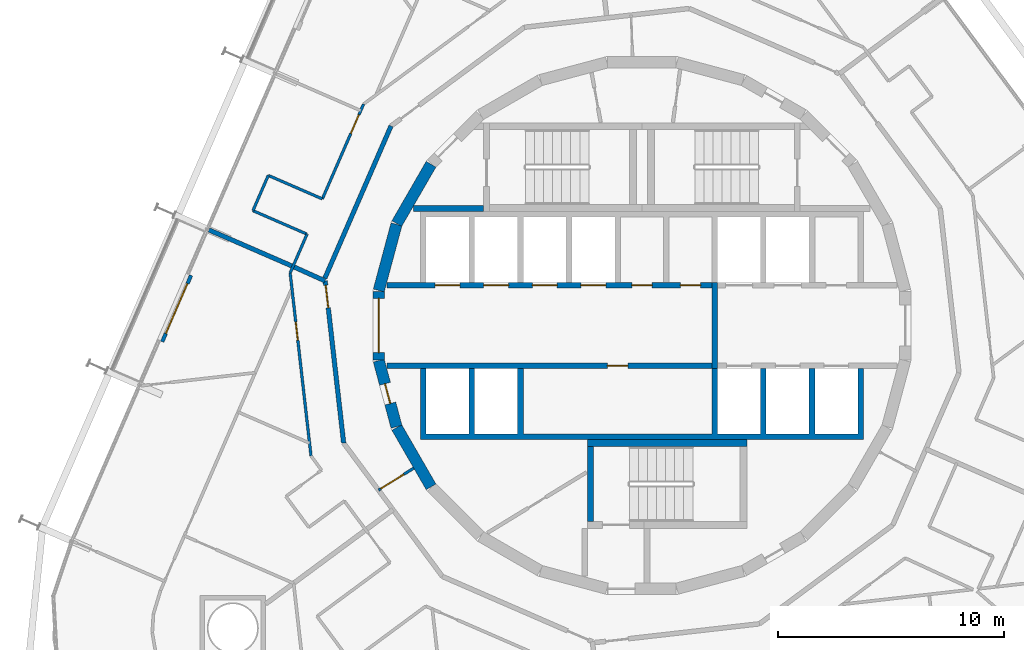
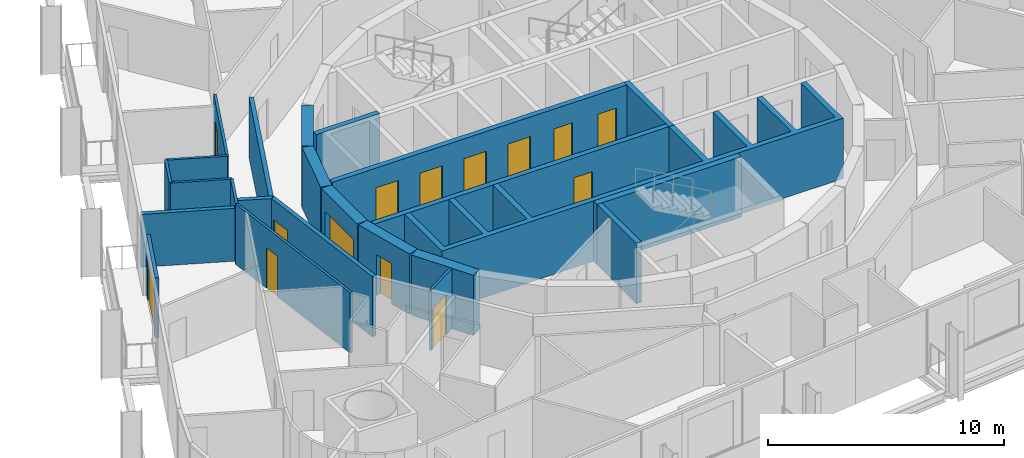
# One storey, part 15 of 21: 24 walls, 14 doors, 14 openings.
"""IFC4 building model written with IfcOpenShell, lengths in metres."""

from ifc_helpers import new_model, si_unit, direction, frame, frame_2d, origin, place, context, subcontext, project, spatial, polyline, rectangle, outline, extrude, material, layer, layer_set, type_object, element, fill, save


model = new_model("IFC4")

# Units and contexts
model_context = context("Model", 3, precision=1e-05, world=origin(), true_north=direction((0.0, 1.0)))
body_context = subcontext(model_context, "Body", "Model", "MODEL_VIEW")
ifc_project = project(units=[si_unit("LENGTHUNIT", "METRE"), si_unit("AREAUNIT", "SQUARE_METRE"), si_unit("VOLUMEUNIT", "CUBIC_METRE"), si_unit("PLANEANGLEUNIT", "RADIAN"), si_unit("MASSUNIT", "GRAM", prefix="KILO")], contexts=[model_context])

# Site, building, storey
site_placement = place(None, origin())
site = spatial("IfcSite", under=ifc_project, at=site_placement, CompositionType="ELEMENT")
building_placement = place(site_placement, origin())
building = spatial("IfcBuilding", under=site, at=building_placement, Name="Spindle Arch Residences", CompositionType="ELEMENT")
storey_placement = place(building_placement, frame((0.0, 0.0, 97.699951171875)))
storey = spatial("IfcBuildingStorey", under=building, at=storey_placement, Name="L23", CompositionType="ELEMENT", Elevation=97.699951171875)

# Walls
ifc_material_1 = material(Name="Concrete C50/60", Category="concrete")
ifc_layer_1 = layer(ifc_material_1, 0.5)
ifc_layer_set_1 = layer_set([ifc_layer_1], Name="Core outline wall 500")
wall_type_1 = type_object("IfcWallType", Name="Core outline wall 500", PredefinedType="SHEAR", material=ifc_layer_set_1)
for number, where, z_axis, x_axis, name in (
    (1, (-9.32861328125, 7.13671875, 0.0), (0.0, 0.0, 1.0), (-0.500087131594, -0.865975092491, 0.0), "Core outline wall 16"),
    (2, (-10.858154296875, 4.479248046875, 0.0), (0.0, 0.0, 1.0), (-0.258734743916, -0.965948410781, 0.0), "Core outline wall 17"),
):
    element("IfcWall", number, at=place(storey_placement, frame(where, z_axis=z_axis, x_axis=x_axis)), inside=storey, type_object=wall_type_1, Name=name, PredefinedType="SHEAR", context=body_context, shape_type="SweptSolid", body=[
        extrude(rectangle(XDim=3.03271484375, YDim=0.5, at=frame_2d((1.516357421875, 0.0))), origin(), (0.0, 0.0, 1.0), 3.1201171875),
    ])

# Wall, opening, door
wall_1_placement = place(storey_placement, frame((-11.647216796875, 1.516357421875, 0.0), z_axis=(0.0, 0.0, 1.0), x_axis=(0.0, -1.0, 0.0)))
wall_1 = element("IfcWall", 3, at=wall_1_placement, inside=storey, type_object=wall_type_1, Name="Core outline wall 18", PredefinedType="SHEAR", context=body_context, shape_type="SweptSolid", body=[
    extrude(rectangle(XDim=3.03271484375, YDim=0.5, at=frame_2d((1.516357421875, 0.0))), origin(), (0.0, 0.0, 1.0), 3.1201171875),
])
opening_1_placement = place(wall_1_placement, frame((0.31640625, 0.0, 0.0)))
opening_1 = element("IfcOpeningElement", 4, at=opening_1_placement, cuts=wall_1, Name="Opening R2C0-LE01", PredefinedType="OPENING", context=body_context, shape_type="SweptSolid", body=[
    extrude(rectangle(XDim=2.39990234375, YDim=2.10009765625, at=frame_2d((1.199951171875, 1.050048828125))), frame((0.0, 0.260009765625, 0.0), z_axis=(0.0, -1.0, 0.0), x_axis=(1.0, 0.0, 0.0)), (0.0, 0.0, 1.0), 0.52001953125),
])
ifc_material_2 = material(Name="Steel, fire-resisting door", Category="steel")
door_type_1 = type_object("IfcDoorType", Name="Lift lobby entrance door 2400x2100", OperationType="DOUBLE_DOOR_SINGLE_SWING", PredefinedType="DOOR", material=ifc_material_2)
door_1_placement = place(opening_1_placement, origin())
door_1 = element("IfcDoor", 5, at=door_1_placement, inside=storey, type_object=door_type_1, Name="Lift lobby entrance door R2C0-LE01", OperationType="DOUBLE_DOOR_SINGLE_SWING", OverallHeight=2.10009765625, OverallWidth=2.39990234375, PredefinedType="DOOR", context=body_context, shape_type="SweptSolid", body=[
    extrude(rectangle(XDim=2.39990234375, YDim=2.10009765625, at=frame_2d((1.199951171875, 1.050048828125))), frame((0.0, 0.02490234375, 0.0), z_axis=(0.0, -1.0, 0.0), x_axis=(1.0, 0.0, 0.0)), (0.0, 0.0, 1.0), 0.050048828125),
])
fill(opening_1, door_1)

wall_2_placement = place(storey_placement, frame((-11.642822265625, -1.5498046875, 0.0), z_axis=(0.0, 0.0, 1.0), x_axis=(0.258734743916, -0.965948410781, 0.0)))
wall_2 = element("IfcWall", 6, at=wall_2_placement, inside=storey, type_object=wall_type_1, Name="Core outline wall 19", PredefinedType="SHEAR", context=body_context, shape_type="SweptSolid", body=[
    extrude(rectangle(XDim=3.03271484375, YDim=0.5, at=frame_2d((1.516357421875, 0.0))), origin(), (0.0, 0.0, 1.0), 3.1201171875),
])
opening_2_placement = place(wall_2_placement, frame((1.06640625, 0.0, 0.0)))
opening_2 = element("IfcOpeningElement", 7, at=opening_2_placement, cuts=wall_2, Name="Opening R2C0-WD09", PredefinedType="OPENING", context=body_context, shape_type="SweptSolid", body=[
    extrude(rectangle(XDim=0.89990234375, YDim=2.10009765625, at=frame_2d((0.449951171875, 1.050048828125))), frame((0.0, 0.260009765625, 0.0), z_axis=(0.0, -1.0, 0.0), x_axis=(1.0, 0.0, 0.0)), (0.0, 0.0, 1.0), 0.52001953125),
])
ifc_material_3 = material(Name="Steel, fire-resisting door", Category="steel")
door_type_2 = type_object("IfcDoorType", Name="Service room door 900x2100", OperationType="SINGLE_SWING_LEFT", PredefinedType="DOOR", material=ifc_material_3)
door_2_placement = place(opening_2_placement, origin())
door_2 = element("IfcDoor", 8, at=door_2_placement, inside=storey, type_object=door_type_2, Name="Service room door R2C0-WD09", OperationType="SINGLE_SWING_RIGHT", OverallHeight=2.10009765625, OverallWidth=0.89990234375, PredefinedType="DOOR", context=body_context, shape_type="SweptSolid", body=[
    extrude(rectangle(XDim=0.89990234375, YDim=2.10009765625, at=frame_2d((0.449951171875, 1.050048828125))), frame((0.0, 0.02490234375, 0.0), z_axis=(0.0, -1.0, 0.0), x_axis=(1.0, 0.0, 0.0)), (0.0, 0.0, 1.0), 0.050048828125),
])
fill(opening_2, door_2)

# Wall
wall_3_placement = place(storey_placement, frame((-10.84521484375, -4.510498046875, 0.0), z_axis=(0.0, 0.0, 1.0), x_axis=(0.500087131594, -0.865975092491, 0.0)))
element("IfcWall", 9, at=wall_3_placement, inside=storey, type_object=wall_type_1, Name="Core outline wall 20", PredefinedType="SHEAR", context=body_context, shape_type="SweptSolid", body=[
    extrude(rectangle(XDim=3.03271484375, YDim=0.5, at=frame_2d((1.516357421875, 0.0))), origin(), (0.0, 0.0, 1.0), 3.1201171875),
])

# Wall, opening, door
ifc_material_4 = material(Name="Plasterboard on steel studs", Category="steel")
ifc_layer_2 = layer(ifc_material_4, 0.1201171875)
ifc_layer_set_2 = layer_set([ifc_layer_2], Name="Corridor division wall 120")
wall_type_2 = type_object("IfcWallType", Name="Corridor division wall 120", PredefinedType="PARTITIONING", material=ifc_layer_set_2)
wall_4_placement = place(storey_placement, frame((-11.654296875, -7.2822265625, 0.0), z_axis=(0.0, 0.0, 1.0), x_axis=(0.848117698675, 0.529807860638, 0.0)))
wall_4 = element("IfcWall", 10, at=wall_4_placement, inside=storey, type_object=wall_type_2, Name="Corridor division wall R2C0-W003", PredefinedType="PARTITIONING", context=body_context, shape_type="SweptSolid", body=[
    extrude(rectangle(XDim=1.837646484375, YDim=0.1201171875, at=frame_2d((0.9189453125, 0.0))), origin(), (0.0, 0.0, 1.0), 3.1201171875),
])
opening_3_placement = place(wall_4_placement, frame((0.114990234375, 0.0, 0.0)))
opening_3 = element("IfcOpeningElement", 11, at=opening_3_placement, cuts=wall_4, Name="Opening R2C0-CD03", PredefinedType="OPENING", context=body_context, shape_type="SweptSolid", body=[
    extrude(rectangle(XDim=1.199951171875, YDim=2.10009765625, at=frame_2d((0.60009765625, 1.050048828125))), frame((0.0, 0.070068359375, 0.0), z_axis=(0.0, -1.0, 0.0), x_axis=(1.0, 0.0, 0.0)), (0.0, 0.0, 1.0), 0.14013671875),
])
ifc_material_5 = material(Name="Steel, fire-resisting door", Category="steel")
door_type_3 = type_object("IfcDoorType", Name="Corridor division door 1200x2100", OperationType="NOTDEFINED", PredefinedType="DOOR", material=ifc_material_5)
door_3_placement = place(opening_3_placement, origin())
door_3 = element("IfcDoor", 12, at=door_3_placement, inside=storey, type_object=door_type_3, Name="Corridor division door R2C0-CD03", OperationType="DOUBLE_DOOR_SINGLE_SWING", OverallHeight=2.10009765625, OverallWidth=1.199951171875, PredefinedType="DOOR", context=body_context, shape_type="SweptSolid", body=[
    extrude(rectangle(XDim=1.199951171875, YDim=2.10009765625, at=frame_2d((0.60009765625, 1.050048828125))), frame((0.0, 0.02490234375, 0.0), z_axis=(0.0, -1.0, 0.0), x_axis=(1.0, 0.0, 0.0)), (0.0, 0.0, 1.0), 0.050048828125),
])
fill(opening_3, door_3)

# Wall
ifc_material_6 = material(Name="Calcium silicate block, plastered")
ifc_layer_3 = layer(ifc_material_6, 0.199951171875)
ifc_layer_set_3 = layer_set([ifc_layer_3], Name="Corridor wall 200")
wall_type_3 = type_object("IfcWallType", Name="Corridor wall 200", PredefinedType="STANDARD", material=ifc_layer_set_3)
wall_5_placement = place(storey_placement, frame((-11.10009765625, 8.829345703125, 0.0), z_axis=(0.0, 0.0, 1.0), x_axis=(-0.398741918631, -0.917063183388, 0.0)))
element("IfcWall", 13, at=wall_5_placement, inside=storey, type_object=wall_type_3, Name="Corridor wall R2C0-W010", PredefinedType="STANDARD", context=body_context, shape_type="SweptSolid", body=[
    extrude(rectangle(XDim=7.341796875, YDim=0.199951171875, at=frame_2d((3.6708984375, 0.0))), origin(), (0.0, 0.0, 1.0), 3.1201171875),
])

# Wall, opening, door
wall_6_placement = place(storey_placement, frame((-14.013427734375, 1.97412109375, 0.0), z_axis=(0.0, 0.0, 1.0), x_axis=(0.113196526349, -0.993572617589, 0.0)))
wall_6 = element("IfcWall", 14, at=wall_6_placement, inside=storey, type_object=wall_type_3, Name="Corridor wall R2C0-W011", PredefinedType="STANDARD", context=body_context, shape_type="SweptSolid", body=[
    extrude(rectangle(XDim=7.21875, YDim=0.199951171875, at=frame_2d((3.609375, 0.0))), origin(), (0.0, 0.0, 1.0), 3.1201171875),
])
opening_4_placement = place(wall_6_placement, frame((0.199951171875, 0.0, 0.0)))
opening_4 = element("IfcOpeningElement", 15, at=opening_4_placement, cuts=wall_6, Name="Opening R2C0-FD04", PredefinedType="OPENING", context=body_context, shape_type="SweptSolid", body=[
    extrude(rectangle(XDim=1.0, YDim=2.10009765625, at=frame_2d((0.5, 1.050048828125))), frame((0.0, 0.10986328125, 0.0), z_axis=(0.0, -1.0, 0.0), x_axis=(1.0, 0.0, 0.0)), (0.0, 0.0, 1.0), 0.219970703125),
])
ifc_material_7 = material(Name="Timber, fire-resisting door set", Category="wood")
door_type_4 = type_object("IfcDoorType", Name="Flat entrance door 1000x2100", OperationType="NOTDEFINED", PredefinedType="DOOR", material=ifc_material_7)
door_4_placement = place(opening_4_placement, origin())
door_4 = element("IfcDoor", 16, at=door_4_placement, inside=storey, type_object=door_type_4, Name="Flat entrance door R2C0-FD04", OperationType="SINGLE_SWING_RIGHT", OverallHeight=2.10009765625, OverallWidth=1.0, PredefinedType="DOOR", context=body_context, shape_type="SweptSolid", body=[
    extrude(rectangle(XDim=1.0, YDim=2.10009765625, at=frame_2d((0.5, 1.050048828125))), frame((0.0, 0.02490234375, 0.0), z_axis=(0.0, -1.0, 0.0), x_axis=(1.0, 0.0, 0.0)), (0.0, 0.0, 1.0), 0.050048828125),
])
fill(opening_4, door_4)

# Wall
ifc_material_8 = material(Name="Concrete C40/50", Category="concrete")
ifc_layer_4 = layer(ifc_material_8, 0.25)
ifc_layer_set_4 = layer_set([ifc_layer_4], Name="Fire-lift lobby wall 250")
wall_type_4 = type_object("IfcWallType", Name="Fire-lift lobby wall 250", PredefinedType="SHEAR", material=ifc_layer_set_4)
wall_7_placement = place(storey_placement, frame((3.22509765625, -1.89990234375, 0.0), z_axis=(0.0, 0.0, 1.0), x_axis=(0.0, 1.0, 0.0)))
element("IfcWall", 17, at=wall_7_placement, inside=storey, type_object=wall_type_4, Name="Fire-fighting lobby partition", PredefinedType="SHEAR", context=body_context, shape_type="SweptSolid", body=[
    extrude(rectangle(XDim=3.7998046875, YDim=0.25, at=frame_2d((1.89990234375, 0.0))), origin(), (0.0, 0.0, 1.0), 3.1201171875),
])

# Wall, opening, door
ifc_material_9 = material(Name="Plasterboard on steel studs", Category="steel")
ifc_layer_5 = layer(ifc_material_9, 0.1201171875)
ifc_layer_set_5 = layer_set([ifc_layer_5], Name="Flat partition 120")
wall_type_5 = type_object("IfcWallType", Name="Flat partition 120", PredefinedType="PARTITIONING", material=ifc_layer_set_5)
wall_8_placement = place(storey_placement, frame((-12.315185546875, 9.7958984375, 0.0), z_axis=(0.0, 0.0, 1.0), x_axis=(-0.398765150511, -0.917053081745, 0.0)))
wall_8 = element("IfcWall", 18, at=wall_8_placement, inside=storey, type_object=wall_type_5, Name="Flat partition R2C0-W070", PredefinedType="PARTITIONING", context=body_context, shape_type="SweptSolid", body=[
    extrude(rectangle(XDim=4.573486328125, YDim=0.1201171875, at=frame_2d((2.28662109375, 0.0))), origin(), (0.0, 0.0, 1.0), 3.1201171875),
])
opening_5_placement = place(wall_8_placement, frame((0.513427734375, 0.0, 0.0)))
opening_5 = element("IfcOpeningElement", 19, at=opening_5_placement, cuts=wall_8, Name="Opening R2C0-ID17", PredefinedType="OPENING", context=body_context, shape_type="SweptSolid", body=[
    extrude(rectangle(XDim=0.89990234375, YDim=2.10009765625, at=frame_2d((0.449951171875, 1.050048828125))), frame((0.0, 0.070068359375, 0.0), z_axis=(0.0, -1.0, 0.0), x_axis=(1.0, 0.0, 0.0)), (0.0, 0.0, 1.0), 0.14013671875),
])
ifc_material_10 = material(Name="Timber door set", Category="wood")
door_type_5 = type_object("IfcDoorType", Name="Room door 900x2100", OperationType="NOTDEFINED", PredefinedType="DOOR", material=ifc_material_10)
door_5_placement = place(opening_5_placement, origin())
door_5 = element("IfcDoor", 20, at=door_5_placement, inside=storey, type_object=door_type_5, Name="Room door R2C0-ID17", OperationType="SINGLE_SWING_LEFT", OverallHeight=2.10009765625, OverallWidth=0.89990234375, PredefinedType="DOOR", context=body_context, shape_type="SweptSolid", body=[
    extrude(rectangle(XDim=0.89990234375, YDim=2.10009765625, at=frame_2d((0.449951171875, 1.050048828125))), frame((0.0, 0.02490234375, 0.0), z_axis=(0.0, -1.0, 0.0), x_axis=(1.0, 0.0, 0.0)), (0.0, 0.0, 1.0), 0.050048828125),
])
fill(opening_5, door_5)

# Walls
wall_9_placement = place(storey_placement, frame((-14.138916015625, 5.601806640625, 0.0), z_axis=(0.0, 0.0, 1.0), x_axis=(-0.91706559301, 0.398736376716, 0.0)))
element("IfcWall", 21, at=wall_9_placement, inside=storey, type_object=wall_type_5, Name="Flat partition R2C0-W071", PredefinedType="PARTITIONING", context=body_context, shape_type="SweptSolid", body=[
    extrude(rectangle(XDim=2.60888671875, YDim=0.1201171875, at=frame_2d((1.304443359375, 0.0))), origin(), (0.0, 0.0, 1.0), 3.1201171875),
])
wall_10_placement = place(storey_placement, frame((-16.531494140625, 6.64208984375, 0.0), z_axis=(0.0, 0.0, 1.0), x_axis=(-0.398783871208, -0.917044941137, 0.0)))
element("IfcWall", 22, at=wall_10_placement, inside=storey, type_object=wall_type_5, Name="Flat partition R2C0-W072", PredefinedType="PARTITIONING", context=body_context, shape_type="SweptSolid", body=[
    extrude(rectangle(XDim=1.7001953125, YDim=0.1201171875, at=frame_2d((0.85009765625, 0.0))), origin(), (0.0, 0.0, 1.0), 3.1201171875),
])
wall_11_placement = place(storey_placement, frame((-17.20947265625, 5.0830078125, 0.0), z_axis=(0.0, 0.0, 1.0), x_axis=(0.91706559301, -0.398736376716, 0.0)))
element("IfcWall", 23, at=wall_11_placement, inside=storey, type_object=wall_type_5, Name="Flat partition R2C0-W073", PredefinedType="PARTITIONING", context=body_context, shape_type="SweptSolid", body=[
    extrude(rectangle(XDim=2.60888671875, YDim=0.1201171875, at=frame_2d((1.304443359375, 0.0))), origin(), (0.0, 0.0, 1.0), 3.1201171875),
])
wall_12_placement = place(storey_placement, frame((-14.81689453125, 4.042724609375, 0.0), z_axis=(0.0, 0.0, 1.0), x_axis=(-0.398683191722, -0.917088715795, 0.0)))
element("IfcWall", 24, at=wall_12_placement, inside=storey, type_object=wall_type_5, Name="Flat partition R2C0-W074", PredefinedType="PARTITIONING", context=body_context, shape_type="SweptSolid", body=[
    extrude(rectangle(XDim=1.8720703125, YDim=0.1201171875, at=frame_2d((0.93603515625, 0.0))), origin(), (0.0, 0.0, 1.0), 3.1201171875),
])

# Wall, opening, door
wall_13_placement = place(storey_placement, frame((-15.563232421875, 2.325927734375, 0.0), z_axis=(0.0, 0.0, 1.0), x_axis=(0.11320423706, -0.993571739087, 0.0)))
wall_13 = element("IfcWall", 25, at=wall_13_placement, inside=storey, type_object=wall_type_5, Name="Flat partition R2C0-W083", PredefinedType="PARTITIONING", context=body_context, shape_type="SweptSolid", body=[
    extrude(rectangle(XDim=8.1455078125, YDim=0.1201171875, at=frame_2d((4.07275390625, 0.0))), origin(), (0.0, 0.0, 1.0), 3.1201171875),
])
opening_6_placement = place(wall_13_placement, frame((2.18505859375, 0.0, 0.0)))
opening_6 = element("IfcOpeningElement", 26, at=opening_6_placement, cuts=wall_13, Name="Opening R2C0-BD04", PredefinedType="OPENING", context=body_context, shape_type="SweptSolid", body=[
    extrude(rectangle(XDim=0.800048828125, YDim=2.10009765625, at=frame_2d((0.39990234375, 1.050048828125))), frame((0.0, 0.070068359375, 0.0), z_axis=(0.0, -1.0, 0.0), x_axis=(1.0, 0.0, 0.0)), (0.0, 0.0, 1.0), 0.14013671875),
])
ifc_material_11 = material(Name="Timber door set", Category="wood")
door_type_6 = type_object("IfcDoorType", Name="Bathroom door 800x2100", OperationType="NOTDEFINED", PredefinedType="DOOR", material=ifc_material_11)
door_6_placement = place(opening_6_placement, origin())
door_6 = element("IfcDoor", 27, at=door_6_placement, inside=storey, type_object=door_type_6, Name="Bathroom door R2C0-BD04", OperationType="SINGLE_SWING_RIGHT", OverallHeight=2.10009765625, OverallWidth=0.800048828125, PredefinedType="DOOR", context=body_context, shape_type="SweptSolid", body=[
    extrude(rectangle(XDim=0.800048828125, YDim=2.10009765625, at=frame_2d((0.39990234375, 1.050048828125))), frame((0.0, 0.02490234375, 0.0), z_axis=(0.0, -1.0, 0.0), x_axis=(1.0, 0.0, 0.0)), (0.0, 0.0, 1.0), 0.050048828125),
])
fill(opening_6, door_6)

# Walls
ifc_material_12 = material(Name="Calcium silicate block, plastered")
ifc_layer_6 = layer(ifc_material_12, 0.199951171875)
ifc_layer_set_6 = layer_set([ifc_layer_6], Name="Flat party wall 200")
wall_type_6 = type_object("IfcWallType", Name="Flat party wall 200", PredefinedType="STANDARD", material=ifc_layer_set_6)
wall_14_placement = place(storey_placement, frame((-15.47509765625, 2.62939453125, 0.0), z_axis=(0.0, 0.0, 1.0), x_axis=(0.911720699372, -0.410810621011, 0.0)))
element("IfcWall", 28, at=wall_14_placement, inside=storey, type_object=wall_type_6, Name="Flat party wall R2C0-W024", PredefinedType="STANDARD", context=body_context, shape_type="SweptSolid", body=[
    extrude(rectangle(XDim=1.59326171875, YDim=0.199951171875, at=frame_2d((0.796630859375, 0.0))), origin(), (0.0, 0.0, 1.0), 3.1201171875),
])
ifc_material_13 = material(Name="Calcium silicate block, plastered")
ifc_layer_7 = layer(ifc_material_13, 0.199951171875)
ifc_layer_set_7 = layer_set([ifc_layer_7], Name="Flat party wall 200 under beam 2730")
wall_type_7 = type_object("IfcWallType", Name="Flat party wall 200 under beam 2730", PredefinedType="STANDARD", material=ifc_layer_set_7)
wall_15_placement = place(storey_placement, frame((-19.1591796875, 4.231201171875, 0.0), z_axis=(0.0, 0.0, 1.0), x_axis=(0.917067157668, -0.398732778095, 0.0)))
element("IfcWall", 29, at=wall_15_placement, inside=storey, type_object=wall_type_7, Name="Flat party wall R2C0-W025", PredefinedType="STANDARD", context=body_context, shape_type="SweptSolid", body=[
    extrude(rectangle(XDim=4.017333984375, YDim=0.199951171875, at=frame_2d((2.0087890625, 0.0))), origin(), (0.0, 0.0, 1.0), 2.72998046875),
])

# Wall, opening, door
ifc_material_14 = material(Name="Non-combustible mineral wool insulated aluminium faced external wall (K0)", Category="aluminium")
ifc_layer_8 = layer(ifc_material_14, 0.159912109375)
ifc_layer_set_8 = layer_set([ifc_layer_8], Name="Insulated external wall panel 160")
wall_type_8 = type_object("IfcWallType", Name="Insulated external wall panel 160", PredefinedType="STANDARD", material=ifc_layer_set_8)
wall_16_placement = place(storey_placement, frame((-19.947021484375, 2.218994140625, 0.0), z_axis=(0.0, 0.0, 1.0), x_axis=(-0.398784695066, -0.917044582876, 0.0)))
wall_16 = element("IfcWall", 30, at=wall_16_placement, inside=storey, type_object=wall_type_8, Name="External wall L23 bay 17", PredefinedType="STANDARD", context=body_context, shape_type="SweptSolid", body=[
    extrude(rectangle(XDim=3.199951171875, YDim=0.159912109375, at=frame_2d((1.60009765625, 0.0))), origin(), (0.0, 0.0, 1.0), 3.1201171875),
])
opening_7_placement = place(wall_16_placement, frame((0.39990234375, 0.0, 0.0)))
opening_7 = element("IfcOpeningElement", 31, at=opening_7_placement, cuts=wall_16, Name="Opening BD17", PredefinedType="OPENING", context=body_context, shape_type="SweptSolid", body=[
    extrude(rectangle(XDim=2.39990234375, YDim=2.39990234375, at=frame_2d((1.199951171875, 1.199951171875))), frame((0.0, 0.08984375, 0.0), z_axis=(0.0, -1.0, 0.0), x_axis=(1.0, 0.0, 0.0)), (0.0, 0.0, 1.0), 0.179931640625),
])
ifc_material_15 = material(Name="Bronze aluminium frame, tinted double glazing", Category="aluminium")
door_type_7 = type_object("IfcDoorType", Name="Sliding glazed balcony door 2400x2400", OperationType="DOUBLE_DOOR_SLIDING", PredefinedType="DOOR", material=ifc_material_15)
door_7_placement = place(opening_7_placement, origin())
door_7 = element("IfcDoor", 32, at=door_7_placement, inside=storey, type_object=door_type_7, Name="Balcony door BD17", OperationType="DOUBLE_DOOR_SLIDING", OverallHeight=2.39990234375, OverallWidth=2.39990234375, PredefinedType="DOOR", context=body_context, shape_type="SweptSolid", body=[
    extrude(rectangle(XDim=2.39990234375, YDim=2.39990234375, at=frame_2d((1.199951171875, 1.199951171875))), frame((0.0, 0.02490234375, 0.0), z_axis=(0.0, -1.0, 0.0), x_axis=(1.0, 0.0, 0.0)), (0.0, 0.0, 1.0), 0.050048828125),
])
fill(opening_7, door_7)

# Wall, openings, doors
ifc_material_16 = material(Name="Concrete C50/60", Category="concrete")
ifc_layer_9 = layer(ifc_material_16, 0.25)
ifc_layer_set_9 = layer_set([ifc_layer_9], Name="Lift shaft wall 250")
wall_type_9 = type_object("IfcWallType", Name="Lift shaft wall 250", PredefinedType="SHEAR", material=ifc_layer_set_9)
wall_17_placement = place(storey_placement, frame((-11.280029296875, 1.77490234375, 0.0), z_axis=(0.0, 0.0, 1.0), x_axis=(1.0, 0.0, 0.0)))
wall_17 = element("IfcWall", 33, at=wall_17_placement, inside=storey, type_object=wall_type_9, Name="Lift shaft front wall NW", PredefinedType="SHEAR", context=body_context, shape_type="SweptSolid", body=[
    extrude(rectangle(XDim=14.380126953125, YDim=0.25, at=frame_2d((7.18994140625, 0.0))), origin(), (0.0, 0.0, 1.0), 3.1201171875),
])
opening_8_placement = place(wall_17_placement, frame((2.1298828125, 0.0, 0.0)))
opening_8 = element("IfcOpeningElement", 34, at=opening_8_placement, cuts=wall_17, Name="Opening R2C0-LD01", PredefinedType="OPENING", context=body_context, shape_type="SweptSolid", body=[
    extrude(rectangle(XDim=1.10009765625, YDim=2.10009765625, at=frame_2d((0.550048828125, 1.050048828125))), frame((0.0, 0.135009765625, 0.0), z_axis=(0.0, -1.0, 0.0), x_axis=(1.0, 0.0, 0.0)), (0.0, 0.0, 1.0), 0.27001953125),
])
opening_9_placement = place(wall_17_placement, frame((4.280029296875, 0.0, 0.0)))
opening_9 = element("IfcOpeningElement", 35, at=opening_9_placement, cuts=wall_17, Name="Opening R2C0-LD02", PredefinedType="OPENING", context=body_context, shape_type="SweptSolid", body=[
    extrude(rectangle(XDim=1.10009765625, YDim=2.10009765625, at=frame_2d((0.550048828125, 1.050048828125))), frame((0.0, 0.135009765625, 0.0), z_axis=(0.0, -1.0, 0.0), x_axis=(1.0, 0.0, 0.0)), (0.0, 0.0, 1.0), 0.27001953125),
])
opening_10_placement = place(wall_17_placement, frame((6.429931640625, 0.0, 0.0)))
opening_10 = element("IfcOpeningElement", 36, at=opening_10_placement, cuts=wall_17, Name="Opening R2C0-LD03", PredefinedType="OPENING", context=body_context, shape_type="SweptSolid", body=[
    extrude(rectangle(XDim=1.10009765625, YDim=2.10009765625, at=frame_2d((0.550048828125, 1.050048828125))), frame((0.0, 0.135009765625, 0.0), z_axis=(0.0, -1.0, 0.0), x_axis=(1.0, 0.0, 0.0)), (0.0, 0.0, 1.0), 0.27001953125),
])
opening_11_placement = place(wall_17_placement, frame((8.580078125, 0.0, 0.0)))
opening_11 = element("IfcOpeningElement", 37, at=opening_11_placement, cuts=wall_17, Name="Opening R2C0-LD04", PredefinedType="OPENING", context=body_context, shape_type="SweptSolid", body=[
    extrude(rectangle(XDim=1.10009765625, YDim=2.10009765625, at=frame_2d((0.550048828125, 1.050048828125))), frame((0.0, 0.135009765625, 0.0), z_axis=(0.0, -1.0, 0.0), x_axis=(1.0, 0.0, 0.0)), (0.0, 0.0, 1.0), 0.27001953125),
])
opening_12_placement = place(wall_17_placement, frame((10.830078125, 0.0, 0.0)))
opening_12 = element("IfcOpeningElement", 38, at=opening_12_placement, cuts=wall_17, Name="Opening R2C0-WD01", PredefinedType="OPENING", context=body_context, shape_type="SweptSolid", body=[
    extrude(rectangle(XDim=0.89990234375, YDim=2.10009765625, at=frame_2d((0.449951171875, 1.050048828125))), frame((0.0, 0.135009765625, 0.0), z_axis=(0.0, -1.0, 0.0), x_axis=(1.0, 0.0, 0.0)), (0.0, 0.0, 1.0), 0.27001953125),
])
opening_13_placement = place(wall_17_placement, frame((12.97998046875, 0.0, 0.0)))
opening_13 = element("IfcOpeningElement", 39, at=opening_13_placement, cuts=wall_17, Name="Opening R2C0-WD02", PredefinedType="OPENING", context=body_context, shape_type="SweptSolid", body=[
    extrude(rectangle(XDim=0.89990234375, YDim=2.10009765625, at=frame_2d((0.449951171875, 1.050048828125))), frame((0.0, 0.135009765625, 0.0), z_axis=(0.0, -1.0, 0.0), x_axis=(1.0, 0.0, 0.0)), (0.0, 0.0, 1.0), 0.27001953125),
])
ifc_material_17 = material(Name="Steel, fire-resisting landing door", Category="steel")
door_type_8 = type_object("IfcDoorType", Name="Lift landing door 1100x2100", OperationType="DOUBLE_DOOR_SLIDING", PredefinedType="DOOR", material=ifc_material_17)
door_8_placement = place(opening_8_placement, origin())
door_8 = element("IfcDoor", 40, at=door_8_placement, inside=storey, type_object=door_type_8, Name="Lift landing door R2C0-LD01", OperationType="DOUBLE_DOOR_SLIDING", OverallHeight=2.10009765625, OverallWidth=1.10009765625, PredefinedType="DOOR", context=body_context, shape_type="SweptSolid", body=[
    extrude(rectangle(XDim=1.10009765625, YDim=2.10009765625, at=frame_2d((0.550048828125, 1.050048828125))), frame((0.0, 0.02490234375, 0.0), z_axis=(0.0, -1.0, 0.0), x_axis=(1.0, 0.0, 0.0)), (0.0, 0.0, 1.0), 0.050048828125),
])
fill(opening_8, door_8)
door_9_placement = place(opening_9_placement, origin())
door_9 = element("IfcDoor", 41, at=door_9_placement, inside=storey, type_object=door_type_8, Name="Lift landing door R2C0-LD02", OperationType="DOUBLE_DOOR_SLIDING", OverallHeight=2.10009765625, OverallWidth=1.10009765625, PredefinedType="DOOR", context=body_context, shape_type="SweptSolid", body=[
    extrude(rectangle(XDim=1.10009765625, YDim=2.10009765625, at=frame_2d((0.550048828125, 1.050048828125))), frame((0.0, 0.02490234375, 0.0), z_axis=(0.0, -1.0, 0.0), x_axis=(1.0, 0.0, 0.0)), (0.0, 0.0, 1.0), 0.050048828125),
])
fill(opening_9, door_9)
door_10_placement = place(opening_10_placement, origin())
door_10 = element("IfcDoor", 42, at=door_10_placement, inside=storey, type_object=door_type_8, Name="Lift landing door R2C0-LD03", OperationType="DOUBLE_DOOR_SLIDING", OverallHeight=2.10009765625, OverallWidth=1.10009765625, PredefinedType="DOOR", context=body_context, shape_type="SweptSolid", body=[
    extrude(rectangle(XDim=1.10009765625, YDim=2.10009765625, at=frame_2d((0.550048828125, 1.050048828125))), frame((0.0, 0.02490234375, 0.0), z_axis=(0.0, -1.0, 0.0), x_axis=(1.0, 0.0, 0.0)), (0.0, 0.0, 1.0), 0.050048828125),
])
fill(opening_10, door_10)
door_11_placement = place(opening_11_placement, origin())
door_11 = element("IfcDoor", 43, at=door_11_placement, inside=storey, type_object=door_type_8, Name="Lift landing door R2C0-LD04", OperationType="DOUBLE_DOOR_SLIDING", OverallHeight=2.10009765625, OverallWidth=1.10009765625, PredefinedType="DOOR", context=body_context, shape_type="SweptSolid", body=[
    extrude(rectangle(XDim=1.10009765625, YDim=2.10009765625, at=frame_2d((0.550048828125, 1.050048828125))), frame((0.0, 0.02490234375, 0.0), z_axis=(0.0, -1.0, 0.0), x_axis=(1.0, 0.0, 0.0)), (0.0, 0.0, 1.0), 0.050048828125),
])
fill(opening_11, door_11)
door_12_placement = place(opening_12_placement, origin())
door_12 = element("IfcDoor", 44, at=door_12_placement, inside=storey, type_object=door_type_2, Name="Service room door R2C0-WD01", OperationType="SINGLE_SWING_RIGHT", OverallHeight=2.10009765625, OverallWidth=0.89990234375, PredefinedType="DOOR", context=body_context, shape_type="SweptSolid", body=[
    extrude(rectangle(XDim=0.89990234375, YDim=2.10009765625, at=frame_2d((0.449951171875, 1.050048828125))), frame((0.0, 0.02490234375, 0.0), z_axis=(0.0, -1.0, 0.0), x_axis=(1.0, 0.0, 0.0)), (0.0, 0.0, 1.0), 0.050048828125),
])
fill(opening_12, door_12)
door_13_placement = place(opening_13_placement, origin())
door_13 = element("IfcDoor", 45, at=door_13_placement, inside=storey, type_object=door_type_2, Name="Service room door R2C0-WD02", OperationType="SINGLE_SWING_LEFT", OverallHeight=2.10009765625, OverallWidth=0.89990234375, PredefinedType="DOOR", context=body_context, shape_type="SweptSolid", body=[
    extrude(rectangle(XDim=0.89990234375, YDim=2.10009765625, at=frame_2d((0.449951171875, 1.050048828125))), frame((0.0, 0.02490234375, 0.0), z_axis=(0.0, -1.0, 0.0), x_axis=(1.0, 0.0, 0.0)), (0.0, 0.0, 1.0), 0.050048828125),
])
fill(opening_13, door_13)

# Wall, opening, door
wall_18_placement = place(storey_placement, frame((-11.280029296875, -1.77490234375, 0.0), z_axis=(0.0, 0.0, 1.0), x_axis=(1.0, 0.0, 0.0)))
wall_18 = element("IfcWall", 46, at=wall_18_placement, inside=storey, type_object=wall_type_9, Name="Lift shaft front wall SW", PredefinedType="SHEAR", context=body_context, shape_type="SweptSolid", body=[
    extrude(rectangle(XDim=14.380126953125, YDim=0.25, at=frame_2d((7.18994140625, 0.0))), origin(), (0.0, 0.0, 1.0), 3.1201171875),
])
opening_14_placement = place(wall_18_placement, frame((9.7548828125, 0.0, 0.0)))
opening_14 = element("IfcOpeningElement", 47, at=opening_14_placement, cuts=wall_18, Name="Opening R2C0-WD04", PredefinedType="OPENING", context=body_context, shape_type="SweptSolid", body=[
    extrude(rectangle(XDim=0.89990234375, YDim=2.10009765625, at=frame_2d((0.449951171875, 1.050048828125))), frame((0.0, 0.135009765625, 0.0), z_axis=(0.0, -1.0, 0.0), x_axis=(1.0, 0.0, 0.0)), (0.0, 0.0, 1.0), 0.27001953125),
])
door_14_placement = place(opening_14_placement, origin())
door_14 = element("IfcDoor", 48, at=door_14_placement, inside=storey, type_object=door_type_2, Name="Service room door R2C0-WD04", OperationType="SINGLE_SWING_LEFT", OverallHeight=2.10009765625, OverallWidth=0.89990234375, PredefinedType="DOOR", context=body_context, shape_type="SweptSolid", body=[
    extrude(rectangle(XDim=0.89990234375, YDim=2.10009765625, at=frame_2d((0.449951171875, 1.050048828125))), frame((0.0, 0.02490234375, 0.0), z_axis=(0.0, -1.0, 0.0), x_axis=(1.0, 0.0, 0.0)), (0.0, 0.0, 1.0), 0.050048828125),
])
fill(opening_14, door_14)

# Walls
ifc_material_18 = material(Name="Concrete C50/60", Category="concrete")
wall_type_10 = type_object("IfcWallType", Name="Lift shaft wall profile", PredefinedType="SHEAR", material=ifc_material_18)
wall_19_placement = place(storey_placement, origin())
element("IfcWall", 49, at=wall_19_placement, inside=storey, type_object=wall_type_10, Name="Lift shaft walls S", PredefinedType="SHEAR", context=body_context, shape_type="SweptSolid", body=[
    extrude(outline(polyline([(9.800048828125, -5.050048828125), (9.800048828125, -4.800048828125), (9.800048828125, -1.89990234375), (9.550048828125, -1.89990234375), (9.550048828125, -4.800048828125), (7.64990234375, -4.800048828125), (7.64990234375, -1.89990234375), (7.39990234375, -1.89990234375), (7.39990234375, -4.800048828125), (5.5, -4.800048828125), (5.5, -1.89990234375), (5.25, -1.89990234375), (5.25, -4.800048828125), (3.35009765625, -4.800048828125), (3.35009765625, -1.89990234375), (3.10009765625, -1.89990234375), (3.10009765625, -4.800048828125), (-5.25, -4.800048828125), (-5.25, -1.89990234375), (-5.5, -1.89990234375), (-5.5, -4.800048828125), (-7.39990234375, -4.800048828125), (-7.39990234375, -1.89990234375), (-7.64990234375, -1.89990234375), (-7.64990234375, -4.800048828125), (-9.550048828125, -4.800048828125), (-9.550048828125, -1.89990234375), (-9.800048828125, -1.89990234375), (-9.800048828125, -4.800048828125), (-9.800048828125, -5.050048828125), (9.800048828125, -5.050048828125)])), origin(), (0.0, 0.0, 1.0), 3.1201171875),
])
ifc_material_19 = material(Name="Concrete C40/50", Category="concrete")
ifc_layer_10 = layer(ifc_material_19, 0.25)
ifc_layer_set_10 = layer_set([ifc_layer_10], Name="Stair airlock wall 250")
wall_type_11 = type_object("IfcWallType", Name="Stair airlock wall 250", PredefinedType="SHEAR", material=ifc_layer_set_10)
wall_20_placement = place(storey_placement, frame((-7.0, 5.175048828125, 0.0), z_axis=(0.0, 0.0, 1.0), x_axis=(-1.0, 0.0, 0.0)))
element("IfcWall", 50, at=wall_20_placement, inside=storey, type_object=wall_type_11, Name="Stair ST-2 airlock wall S", PredefinedType="SHEAR", context=body_context, shape_type="SweptSolid", body=[
    extrude(rectangle(XDim=3.10009765625, YDim=0.25, at=frame_2d((1.550048828125, 0.0))), origin(), (0.0, 0.0, 1.0), 3.1201171875),
])
ifc_material_20 = material(Name="Concrete C50/60", Category="concrete")
ifc_layer_11 = layer(ifc_material_20, 0.25)
ifc_layer_set_11 = layer_set([ifc_layer_11], Name="Stair enclosure wall 250")
wall_type_12 = type_object("IfcWallType", Name="Stair enclosure wall 250", PredefinedType="SHEAR", material=ifc_layer_set_11)
wall_21_placement = place(storey_placement, frame((-2.27490234375, -8.669921875, 0.0), z_axis=(0.0, 0.0, 1.0), x_axis=(0.0, 1.0, 0.0)))
element("IfcWall", 51, at=wall_21_placement, inside=storey, type_object=wall_type_12, Name="Stair ST-3 enclosure wall W", PredefinedType="SHEAR", context=body_context, shape_type="SweptSolid", body=[
    extrude(rectangle(XDim=3.31982421875, YDim=0.25, at=frame_2d((1.659912109375, 0.0))), origin(), (0.0, 0.0, 1.0), 3.1201171875),
])
ifc_material_21 = material(Name="Concrete C50/60", Category="concrete")
ifc_layer_12 = layer(ifc_material_21, 0.300048828125)
ifc_layer_set_12 = layer_set([ifc_layer_12], Name="Stair enclosure wall 300")
wall_type_13 = type_object("IfcWallType", Name="Stair enclosure wall 300", PredefinedType="SHEAR", material=ifc_layer_set_12)
wall_22_placement = place(storey_placement, frame((-2.39990234375, -5.199951171875, 0.0), z_axis=(0.0, 0.0, 1.0), x_axis=(1.0, 0.0, 0.0)))
element("IfcWall", 52, at=wall_22_placement, inside=storey, type_object=wall_type_13, Name="Stair ST-3 enclosure wall N", PredefinedType="SHEAR", context=body_context, shape_type="SweptSolid", body=[
    extrude(rectangle(XDim=7.0498046875, YDim=0.300048828125, at=frame_2d((3.52490234375, 0.0))), origin(), (0.0, 0.0, 1.0), 3.1201171875),
])

save(model, "model.ifc")
